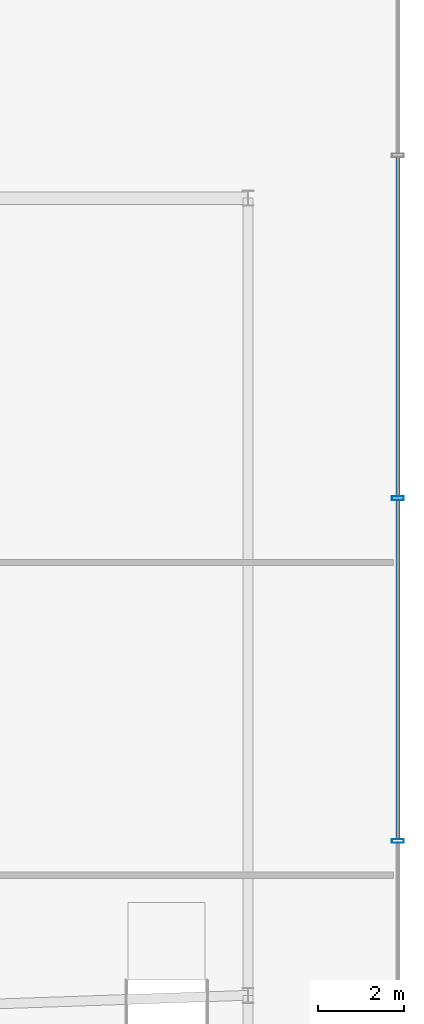
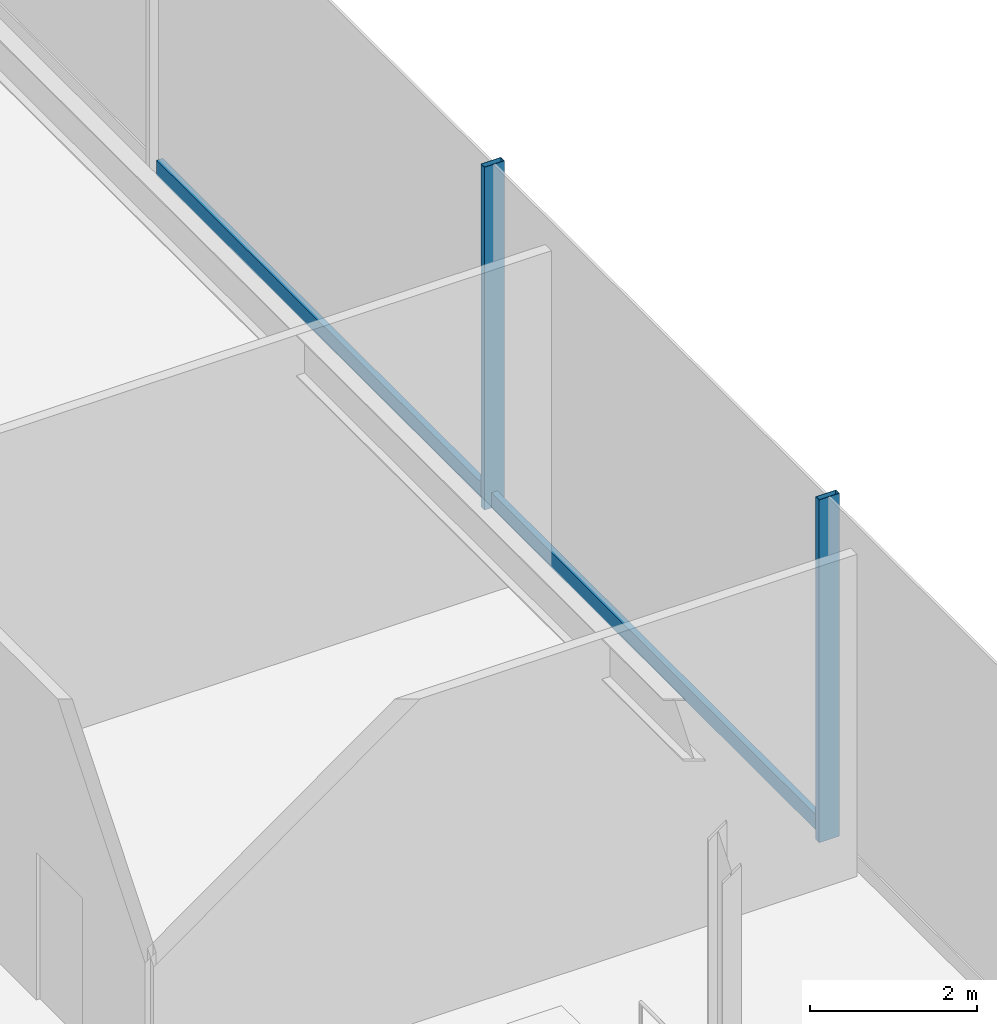
# One storey, part 25 of 39: 4 members, 1 element without a shape of its own.
"""IFC4 building model written with IfcOpenShell, lengths in metres."""

from ifc_helpers import new_model, si_unit, derived_unit, direction, frame, origin, origin_2d, place, context, subcontext, project, spatial, hollow_rectangle, extrude, source, transform, mapped, material, material_profile, profile_set, type_object, element, aggregate, save


model = new_model("IFC4")

# Units and contexts
model_context = context("Model", 3, precision=1e-05, world=origin(), true_north=direction((0.0, 1.0)))
body_context = subcontext(model_context, "Body", "Model", "MODEL_VIEW")
ifc_project = project(units=[si_unit("LENGTHUNIT", "METRE"), si_unit("AREAUNIT", "SQUARE_METRE"), si_unit("VOLUMEUNIT", "CUBIC_METRE"), si_unit("PLANEANGLEUNIT", "RADIAN"), si_unit("MASSUNIT", "GRAM", prefix="KILO"), derived_unit("THERMALTRANSMITTANCEUNIT", [(si_unit("POWERUNIT", "WATT"), 1), (si_unit("LENGTHUNIT", "METRE"), -2), (si_unit("THERMODYNAMICTEMPERATUREUNIT", "KELVIN"), -1)])], contexts=[model_context])

# Site, building, storey
site_placement = place(None, origin())
site = spatial("IfcSite", under=ifc_project, at=site_placement, CompositionType="ELEMENT")
building_placement = place(site_placement, origin())
building = spatial("IfcBuilding", under=site, at=building_placement, Name="Skarnbrae Concourse Arena and Tower", CompositionType="ELEMENT")
storey_placement = place(building_placement, frame((0.0, 0.0, 11.0)))
storey = spatial("IfcBuildingStorey", under=building, at=storey_placement, Name="L02", CompositionType="ELEMENT", Elevation=11.0)

# Curtain wall, members
ifc_material = material(Name="Bronze anodised aluminium 6063-T6", Category="aluminium")
curtain_wall_type = type_object("IfcCurtainWallType", Name="CW-SYS-01-PODIUM", PredefinedType="USERDEFINED", material=ifc_material)
curtain_wall_placement = place(storey_placement, origin())
curtain_wall = element("IfcCurtainWall", 1, at=curtain_wall_placement, inside=storey, type_object=curtain_wall_type, Name="L02 Unitised curtain wall CW-L02-E", ObjectType="UNITISED CURTAIN WALL", PredefinedType="USERDEFINED")
ifc_material_profile_1 = material_profile(ifc_material, hollow_rectangle(XDim=0.0849609375, YDim=0.280029296875, WallThickness=0.006103515625, at=origin_2d()), Name="ALU-MULL-85X280")
ifc_profile_set_1 = profile_set([ifc_material_profile_1], Name="Bronze anodised aluminium 6063-T6")
member_type_1 = type_object("IfcMemberType", Name="CWM-CW-01", PredefinedType="MULLION", material=ifc_profile_set_1)
shared_shape_1 = source(origin(), body_context, "Body", "SweptSolid", [
    extrude(hollow_rectangle(XDim=0.0849609375, YDim=0.280029296875, WallThickness=0.006103515625, at=origin_2d()), origin(), (0.0, 0.0, 1.0), 5.0),
])
member_1_placement = place(storey_placement, frame((82.0, 32.0, 0.0), z_axis=(0.0, 0.0, 1.0), x_axis=(0.0, 1.0, 0.0)))
member_1 = element("IfcMember", 2, at=member_1_placement, type_object=member_type_1, Name="CW-L02-E Mullion 5", PredefinedType="MULLION", context=body_context, shape_type="MappedRepresentation", body=[
    mapped(shared_shape_1, transform((0.0, 0.0, 0.0))),
])
member_2_placement = place(storey_placement, frame((82.0, 40.0, 0.0), z_axis=(0.0, 0.0, 1.0), x_axis=(0.0, 1.0, 0.0)))
member_2 = element("IfcMember", 3, at=member_2_placement, type_object=member_type_1, Name="CW-L02-E Mullion 6", PredefinedType="MULLION", context=body_context, shape_type="MappedRepresentation", body=[
    mapped(shared_shape_1, transform((0.0, 0.0, 0.0))),
])
ifc_material_profile_2 = material_profile(ifc_material, hollow_rectangle(XDim=0.0849609375, YDim=0.219970703125, WallThickness=0.006103515625, at=origin_2d()), Name="ALU-TRAN-85X220")
ifc_profile_set_2 = profile_set([ifc_material_profile_2], Name="Bronze anodised aluminium 6063-T6")
member_type_2 = type_object("IfcMemberType", Name="CWT-CW-01", PredefinedType="USERDEFINED", material=ifc_profile_set_2)
shared_shape_2 = source(origin(), body_context, "Body", "SweptSolid", [
    extrude(hollow_rectangle(XDim=0.0849609375, YDim=0.219970703125, WallThickness=0.006103515625, at=origin_2d()), origin(), (0.0, 0.0, 1.0), 7.9150390625),
])
member_3_placement = place(storey_placement, frame((82.0, 32.04248046875, 0.110107421875), z_axis=(0.0, 1.0, 0.0), x_axis=(-1.0, 0.0, 0.0)))
member_3 = element("IfcMember", 4, at=member_3_placement, type_object=member_type_2, Name="CW-L02-E Transom 5", ObjectType="TRANSOM", PredefinedType="USERDEFINED", context=body_context, shape_type="MappedRepresentation", body=[
    mapped(shared_shape_2, transform((0.0, 0.0, 0.0))),
])
member_4_placement = place(storey_placement, frame((82.0, 40.04248046875, 0.110107421875), z_axis=(0.0, 1.0, 0.0), x_axis=(-1.0, 0.0, 0.0)))
member_4 = element("IfcMember", 5, at=member_4_placement, type_object=member_type_2, Name="CW-L02-E Transom 6", ObjectType="TRANSOM", PredefinedType="USERDEFINED", context=body_context, shape_type="MappedRepresentation", body=[
    mapped(shared_shape_2, transform((0.0, 0.0, 0.0))),
])
aggregate(curtain_wall, [member_1, member_2, member_3, member_4])

save(model, "model.ifc")
